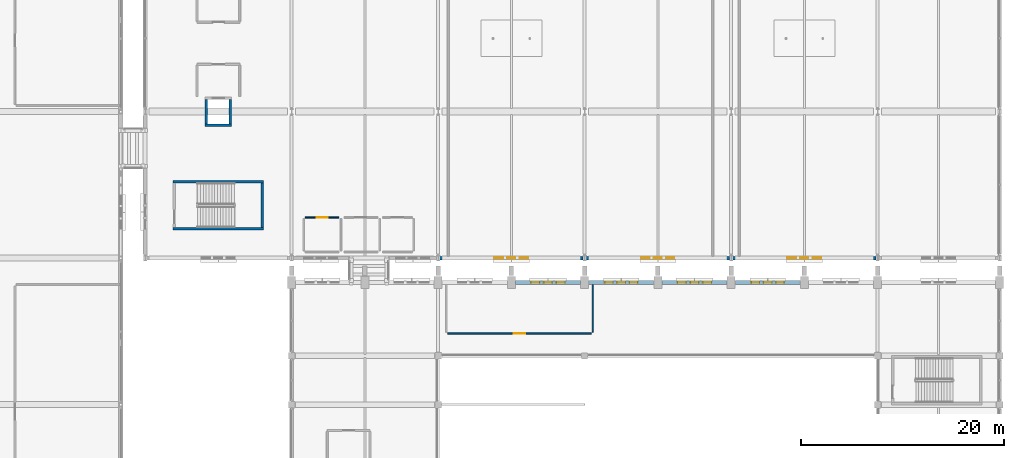
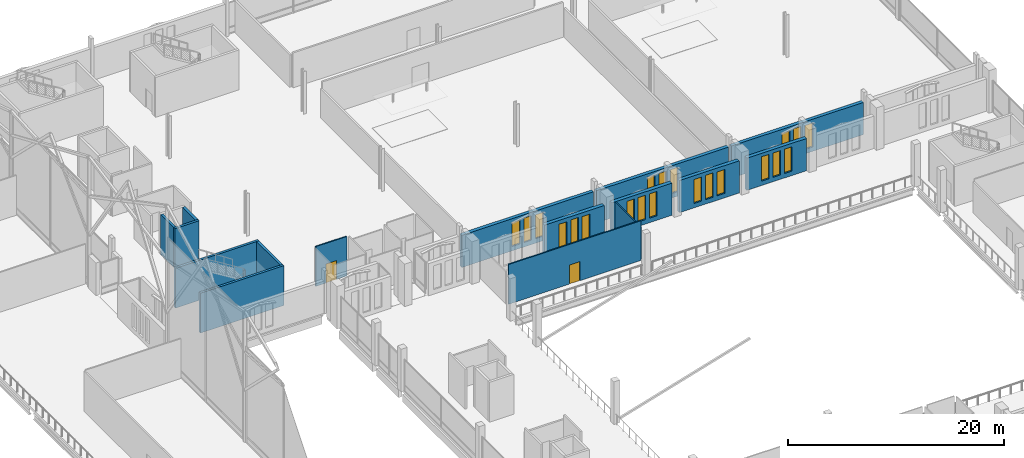
# One storey, part 166 of 220: 21 windows, 16 walls, 2 doors, 23 openings.
"""IFC4 building model written with IfcOpenShell, lengths in metres."""

from ifc_helpers import new_model, si_unit, direction, frame, frame_2d, origin, place, context, subcontext, project, spatial, rectangle, extrude, material, layer, layer_set, type_object, element, fill, save


model = new_model("IFC4")

# Units and contexts
model_context = context("Model", 3, precision=1e-05, world=origin(), true_north=direction((0.0, 1.0)))
body_context = subcontext(model_context, "Body", "Model", "MODEL_VIEW")
ifc_project = project(units=[si_unit("LENGTHUNIT", "METRE"), si_unit("AREAUNIT", "SQUARE_METRE"), si_unit("VOLUMEUNIT", "CUBIC_METRE"), si_unit("PLANEANGLEUNIT", "RADIAN"), si_unit("MASSUNIT", "GRAM", prefix="KILO")], contexts=[model_context])

# Site, building, storey
site_placement = place(None, origin())
site = spatial("IfcSite", under=ifc_project, at=site_placement, CompositionType="ELEMENT")
building_placement = place(site_placement, origin())
building = spatial("IfcBuilding", under=site, at=building_placement, Name="Cendralis Lancet Convention Centre", CompositionType="ELEMENT")
storey_placement = place(building_placement, frame((0.0, 0.0, 5.39990234375)))
storey = spatial("IfcBuildingStorey", under=building, at=storey_placement, Name="L01", CompositionType="ELEMENT", Elevation=5.39990234375)

# Wall, openings, windows
ifc_material_1 = material(Name="Buff sandstone ashlar and Concrete G40 (C40/50)", Category="masonry")
ifc_layer_1 = layer(ifc_material_1, 0.360107421875, Name="Buff sandstone ashlar and Concrete G40 (C40/50)")
ifc_layer_set_1 = layer_set([ifc_layer_1], Name="Buff sandstone ashlar and Concrete G40 (C40/50)")
wall_type_1 = type_object("IfcWallType", Name="ARC-EW-W360", PredefinedType="STANDARD", material=ifc_layer_set_1)
wall_1_placement = place(storey_placement, frame((167.842041015625, 93.60009765625, 0.0), z_axis=(0.0, 0.0, 1.0), x_axis=(-1.0, 0.0, 0.0)))
wall_1 = element("IfcWall", 1, at=wall_1_placement, inside=storey, type_object=wall_type_1, Name="L01 V3 Exterior Wall EW-04 #0152", PredefinedType="STANDARD", context=body_context, shape_type="SweptSolid", body=[
    extrude(rectangle(XDim=14.083984375, YDim=0.360107421875, at=frame_2d((7.0419921875, 0.0))), origin(), (0.0, 0.0, 1.0), 3.635009765625),
])
opening_1_placement = place(wall_1_placement, frame((5.382080078125, 0.0, 0.5)))
opening_1 = element("IfcOpeningElement", 2, at=opening_1_placement, cuts=wall_1, Name="Opening WN-15", PredefinedType="OPENING", context=body_context, shape_type="SweptSolid", body=[
    extrude(rectangle(XDim=0.840087890625, YDim=2.699951171875, at=frame_2d((0.419921875, 1.35009765625))), frame((0.0, 0.18994140625, 0.0), z_axis=(0.0, -1.0, 0.0), x_axis=(1.0, 0.0, 0.0)), (0.0, 0.0, 1.0), 0.380126953125),
])
opening_2_placement = place(wall_1_placement, frame((6.64208984375, 0.0, 0.5)))
opening_2 = element("IfcOpeningElement", 3, at=opening_2_placement, cuts=wall_1, Name="Opening WN-07", PredefinedType="OPENING", context=body_context, shape_type="SweptSolid", body=[
    extrude(rectangle(XDim=0.800048828125, YDim=2.75, at=frame_2d((0.39990234375, 1.375))), frame((0.0, 0.18994140625, 0.0), z_axis=(0.0, -1.0, 0.0), x_axis=(1.0, 0.0, 0.0)), (0.0, 0.0, 1.0), 0.380126953125),
])
opening_3_placement = place(wall_1_placement, frame((7.862060546875, 0.0, 0.5)))
opening_3 = element("IfcOpeningElement", 4, at=opening_3_placement, cuts=wall_1, Name="Opening WN-15", PredefinedType="OPENING", context=body_context, shape_type="SweptSolid", body=[
    extrude(rectangle(XDim=0.840087890625, YDim=2.699951171875, at=frame_2d((0.419921875, 1.35009765625))), frame((0.0, 0.18994140625, 0.0), z_axis=(0.0, -1.0, 0.0), x_axis=(1.0, 0.0, 0.0)), (0.0, 0.0, 1.0), 0.380126953125),
])
ifc_material_2 = material(Name="Double-glazed low-E solar-control glass", Category="glass")
window_type_1 = type_object("IfcWindowType", Name="ARC-WN-LW07", PartitioningType="SINGLE_PANEL", PredefinedType="WINDOW", material=ifc_material_2)
window_1_placement = place(opening_2_placement, origin())
window_1 = element("IfcWindow", 5, at=window_1_placement, inside=storey, type_object=window_type_1, Name="Gothic Lancet Window WN-07 #0294", OverallHeight=2.75, OverallWidth=0.800048828125, PartitioningType="SINGLE_PANEL", PredefinedType="WINDOW", context=body_context, shape_type="SweptSolid", body=[
    extrude(rectangle(XDim=0.800048828125, YDim=2.75, at=frame_2d((0.39990234375, 1.375))), frame((0.0, 0.030029296875, 0.0), z_axis=(0.0, -1.0, 0.0), x_axis=(1.0, 0.0, 0.0)), (0.0, 0.0, 1.0), 0.06005859375),
])
fill(opening_2, window_1)
window_type_2 = type_object("IfcWindowType", Name="ARC-WN-LW15", PartitioningType="SINGLE_PANEL", PredefinedType="WINDOW", material=ifc_material_2)
window_2_placement = place(opening_1_placement, origin())
window_2 = element("IfcWindow", 6, at=window_2_placement, inside=storey, type_object=window_type_2, Name="Gothic Lancet Window WN-15 #0293", OverallHeight=2.699951171875, OverallWidth=0.840087890625, PartitioningType="SINGLE_PANEL", PredefinedType="WINDOW", context=body_context, shape_type="SweptSolid", body=[
    extrude(rectangle(XDim=0.840087890625, YDim=2.699951171875, at=frame_2d((0.419921875, 1.35009765625))), frame((0.0, 0.030029296875, 0.0), z_axis=(0.0, -1.0, 0.0), x_axis=(1.0, 0.0, 0.0)), (0.0, 0.0, 1.0), 0.06005859375),
])
fill(opening_1, window_2)
window_3_placement = place(opening_3_placement, origin())
window_3 = element("IfcWindow", 7, at=window_3_placement, inside=storey, type_object=window_type_2, Name="Gothic Lancet Window WN-15 #0295", OverallHeight=2.699951171875, OverallWidth=0.840087890625, PartitioningType="SINGLE_PANEL", PredefinedType="WINDOW", context=body_context, shape_type="SweptSolid", body=[
    extrude(rectangle(XDim=0.840087890625, YDim=2.699951171875, at=frame_2d((0.419921875, 1.35009765625))), frame((0.0, 0.030029296875, 0.0), z_axis=(0.0, -1.0, 0.0), x_axis=(1.0, 0.0, 0.0)), (0.0, 0.0, 1.0), 0.06005859375),
])
fill(opening_3, window_3)

wall_2_placement = place(storey_placement, frame((182.241943359375, 93.60009765625, 0.0), z_axis=(0.0, 0.0, 1.0), x_axis=(-1.0, 0.0, 0.0)))
wall_2 = element("IfcWall", 8, at=wall_2_placement, inside=storey, type_object=wall_type_1, Name="L01 V3 Exterior Wall EW-04 #0153", PredefinedType="STANDARD", context=body_context, shape_type="SweptSolid", body=[
    extrude(rectangle(XDim=14.083984375, YDim=0.360107421875, at=frame_2d((7.0419921875, 0.0))), origin(), (0.0, 0.0, 1.0), 3.635009765625),
])
opening_4_placement = place(wall_2_placement, frame((5.422119140625, 0.0, 0.5)))
opening_4 = element("IfcOpeningElement", 9, at=opening_4_placement, cuts=wall_2, Name="Opening WN-07", PredefinedType="OPENING", context=body_context, shape_type="SweptSolid", body=[
    extrude(rectangle(XDim=0.800048828125, YDim=2.75, at=frame_2d((0.39990234375, 1.375))), frame((0.0, 0.18994140625, 0.0), z_axis=(0.0, -1.0, 0.0), x_axis=(1.0, 0.0, 0.0)), (0.0, 0.0, 1.0), 0.380126953125),
])
opening_5_placement = place(wall_2_placement, frame((6.64208984375, 0.0, 0.5)))
opening_5 = element("IfcOpeningElement", 10, at=opening_5_placement, cuts=wall_2, Name="Opening WN-07", PredefinedType="OPENING", context=body_context, shape_type="SweptSolid", body=[
    extrude(rectangle(XDim=0.800048828125, YDim=2.75, at=frame_2d((0.39990234375, 1.375))), frame((0.0, 0.18994140625, 0.0), z_axis=(0.0, -1.0, 0.0), x_axis=(1.0, 0.0, 0.0)), (0.0, 0.0, 1.0), 0.380126953125),
])
opening_6_placement = place(wall_2_placement, frame((7.862060546875, 0.0, 0.5)))
opening_6 = element("IfcOpeningElement", 11, at=opening_6_placement, cuts=wall_2, Name="Opening WN-07", PredefinedType="OPENING", context=body_context, shape_type="SweptSolid", body=[
    extrude(rectangle(XDim=0.800048828125, YDim=2.75, at=frame_2d((0.39990234375, 1.375))), frame((0.0, 0.18994140625, 0.0), z_axis=(0.0, -1.0, 0.0), x_axis=(1.0, 0.0, 0.0)), (0.0, 0.0, 1.0), 0.380126953125),
])
window_4_placement = place(opening_4_placement, origin())
window_4 = element("IfcWindow", 12, at=window_4_placement, inside=storey, type_object=window_type_1, Name="Gothic Lancet Window WN-07 #0296", OverallHeight=2.75, OverallWidth=0.800048828125, PartitioningType="SINGLE_PANEL", PredefinedType="WINDOW", context=body_context, shape_type="SweptSolid", body=[
    extrude(rectangle(XDim=0.800048828125, YDim=2.75, at=frame_2d((0.39990234375, 1.375))), frame((0.0, 0.030029296875, 0.0), z_axis=(0.0, -1.0, 0.0), x_axis=(1.0, 0.0, 0.0)), (0.0, 0.0, 1.0), 0.06005859375),
])
fill(opening_4, window_4)
window_5_placement = place(opening_5_placement, origin())
window_5 = element("IfcWindow", 13, at=window_5_placement, inside=storey, type_object=window_type_1, Name="Gothic Lancet Window WN-07 #0297", OverallHeight=2.75, OverallWidth=0.800048828125, PartitioningType="SINGLE_PANEL", PredefinedType="WINDOW", context=body_context, shape_type="SweptSolid", body=[
    extrude(rectangle(XDim=0.800048828125, YDim=2.75, at=frame_2d((0.39990234375, 1.375))), frame((0.0, 0.030029296875, 0.0), z_axis=(0.0, -1.0, 0.0), x_axis=(1.0, 0.0, 0.0)), (0.0, 0.0, 1.0), 0.06005859375),
])
fill(opening_5, window_5)
window_6_placement = place(opening_6_placement, origin())
window_6 = element("IfcWindow", 14, at=window_6_placement, inside=storey, type_object=window_type_1, Name="Gothic Lancet Window WN-07 #0298", OverallHeight=2.75, OverallWidth=0.800048828125, PartitioningType="SINGLE_PANEL", PredefinedType="WINDOW", context=body_context, shape_type="SweptSolid", body=[
    extrude(rectangle(XDim=0.800048828125, YDim=2.75, at=frame_2d((0.39990234375, 1.375))), frame((0.0, 0.030029296875, 0.0), z_axis=(0.0, -1.0, 0.0), x_axis=(1.0, 0.0, 0.0)), (0.0, 0.0, 1.0), 0.06005859375),
])
fill(opening_6, window_6)

wall_3_placement = place(storey_placement, frame((196.64208984375, 93.60009765625, 0.0), z_axis=(0.0, 0.0, 1.0), x_axis=(-1.0, 0.0, 0.0)))
wall_3 = element("IfcWall", 15, at=wall_3_placement, inside=storey, type_object=wall_type_1, Name="L01 V3 Exterior Wall EW-04 #0154", PredefinedType="STANDARD", context=body_context, shape_type="SweptSolid", body=[
    extrude(rectangle(XDim=14.083984375, YDim=0.360107421875, at=frame_2d((7.0419921875, 0.0))), origin(), (0.0, 0.0, 1.0), 3.635009765625),
])
opening_7_placement = place(wall_3_placement, frame((5.382080078125, 0.0, 0.5)))
opening_7 = element("IfcOpeningElement", 16, at=opening_7_placement, cuts=wall_3, Name="Opening WN-15", PredefinedType="OPENING", context=body_context, shape_type="SweptSolid", body=[
    extrude(rectangle(XDim=0.840087890625, YDim=2.699951171875, at=frame_2d((0.419921875, 1.35009765625))), frame((0.0, 0.18994140625, 0.0), z_axis=(0.0, -1.0, 0.0), x_axis=(1.0, 0.0, 0.0)), (0.0, 0.0, 1.0), 0.380126953125),
])
opening_8_placement = place(wall_3_placement, frame((6.64208984375, 0.0, 0.5)))
opening_8 = element("IfcOpeningElement", 17, at=opening_8_placement, cuts=wall_3, Name="Opening WN-07", PredefinedType="OPENING", context=body_context, shape_type="SweptSolid", body=[
    extrude(rectangle(XDim=0.800048828125, YDim=2.75, at=frame_2d((0.39990234375, 1.375))), frame((0.0, 0.18994140625, 0.0), z_axis=(0.0, -1.0, 0.0), x_axis=(1.0, 0.0, 0.0)), (0.0, 0.0, 1.0), 0.380126953125),
])
opening_9_placement = place(wall_3_placement, frame((7.862060546875, 0.0, 0.5)))
opening_9 = element("IfcOpeningElement", 18, at=opening_9_placement, cuts=wall_3, Name="Opening WN-15", PredefinedType="OPENING", context=body_context, shape_type="SweptSolid", body=[
    extrude(rectangle(XDim=0.840087890625, YDim=2.699951171875, at=frame_2d((0.419921875, 1.35009765625))), frame((0.0, 0.18994140625, 0.0), z_axis=(0.0, -1.0, 0.0), x_axis=(1.0, 0.0, 0.0)), (0.0, 0.0, 1.0), 0.380126953125),
])
window_7_placement = place(opening_8_placement, origin())
window_7 = element("IfcWindow", 19, at=window_7_placement, inside=storey, type_object=window_type_1, Name="Gothic Lancet Window WN-07 #0300", OverallHeight=2.75, OverallWidth=0.800048828125, PartitioningType="SINGLE_PANEL", PredefinedType="WINDOW", context=body_context, shape_type="SweptSolid", body=[
    extrude(rectangle(XDim=0.800048828125, YDim=2.75, at=frame_2d((0.39990234375, 1.375))), frame((0.0, 0.030029296875, 0.0), z_axis=(0.0, -1.0, 0.0), x_axis=(1.0, 0.0, 0.0)), (0.0, 0.0, 1.0), 0.06005859375),
])
fill(opening_8, window_7)
window_8_placement = place(opening_7_placement, origin())
window_8 = element("IfcWindow", 20, at=window_8_placement, inside=storey, type_object=window_type_2, Name="Gothic Lancet Window WN-15 #0299", OverallHeight=2.699951171875, OverallWidth=0.840087890625, PartitioningType="SINGLE_PANEL", PredefinedType="WINDOW", context=body_context, shape_type="SweptSolid", body=[
    extrude(rectangle(XDim=0.840087890625, YDim=2.699951171875, at=frame_2d((0.419921875, 1.35009765625))), frame((0.0, 0.030029296875, 0.0), z_axis=(0.0, -1.0, 0.0), x_axis=(1.0, 0.0, 0.0)), (0.0, 0.0, 1.0), 0.06005859375),
])
fill(opening_7, window_8)
window_9_placement = place(opening_9_placement, origin())
window_9 = element("IfcWindow", 21, at=window_9_placement, inside=storey, type_object=window_type_2, Name="Gothic Lancet Window WN-15 #0301", OverallHeight=2.699951171875, OverallWidth=0.840087890625, PartitioningType="SINGLE_PANEL", PredefinedType="WINDOW", context=body_context, shape_type="SweptSolid", body=[
    extrude(rectangle(XDim=0.840087890625, YDim=2.699951171875, at=frame_2d((0.419921875, 1.35009765625))), frame((0.0, 0.030029296875, 0.0), z_axis=(0.0, -1.0, 0.0), x_axis=(1.0, 0.0, 0.0)), (0.0, 0.0, 1.0), 0.06005859375),
])
fill(opening_9, window_9)

ifc_layer_2 = layer(ifc_material_1, 0.3798828125, Name="Buff sandstone ashlar and Concrete G40 (C40/50)")
ifc_layer_set_2 = layer_set([ifc_layer_2], Name="Buff sandstone ashlar and Concrete G40 (C40/50)")
wall_type_2 = type_object("IfcWallType", Name="ARC-EW-W380", PredefinedType="STANDARD", material=ifc_layer_set_2)
wall_4_placement = place(storey_placement, frame((161.2080078125, 91.199951171875, 0.0), z_axis=(0.0, 0.0, 1.0), x_axis=(1.0, 0.0, 0.0)))
wall_4 = element("IfcWall", 22, at=wall_4_placement, inside=storey, type_object=wall_type_2, Name="L01 V2 Exterior Wall EW-03 #0102", PredefinedType="STANDARD", context=body_context, shape_type="SweptSolid", body=[
    extrude(rectangle(XDim=6.384033203125, YDim=0.3798828125, at=frame_2d((3.19189453125, 0.0))), origin(), (0.0, 0.0, 1.0), 3.635009765625),
])
opening_10_placement = place(wall_4_placement, frame((1.531982421875, 0.0, 0.5)))
opening_10 = element("IfcOpeningElement", 23, at=opening_10_placement, cuts=wall_4, Name="Opening WN-15", PredefinedType="OPENING", context=body_context, shape_type="SweptSolid", body=[
    extrude(rectangle(XDim=0.840087890625, YDim=2.699951171875, at=frame_2d((0.419921875, 1.35009765625))), frame((0.0, 0.199951171875, 0.0), z_axis=(0.0, -1.0, 0.0), x_axis=(1.0, 0.0, 0.0)), (0.0, 0.0, 1.0), 0.39990234375),
])
opening_11_placement = place(wall_4_placement, frame((2.7919921875, 0.0, 0.5)))
opening_11 = element("IfcOpeningElement", 24, at=opening_11_placement, cuts=wall_4, Name="Opening WN-07", PredefinedType="OPENING", context=body_context, shape_type="SweptSolid", body=[
    extrude(rectangle(XDim=0.800048828125, YDim=2.75, at=frame_2d((0.39990234375, 1.375))), frame((0.0, 0.199951171875, 0.0), z_axis=(0.0, -1.0, 0.0), x_axis=(1.0, 0.0, 0.0)), (0.0, 0.0, 1.0), 0.39990234375),
])
opening_12_placement = place(wall_4_placement, frame((4.011962890625, 0.0, 0.5)))
opening_12 = element("IfcOpeningElement", 25, at=opening_12_placement, cuts=wall_4, Name="Opening WN-15", PredefinedType="OPENING", context=body_context, shape_type="SweptSolid", body=[
    extrude(rectangle(XDim=0.840087890625, YDim=2.699951171875, at=frame_2d((0.419921875, 1.35009765625))), frame((0.0, 0.199951171875, 0.0), z_axis=(0.0, -1.0, 0.0), x_axis=(1.0, 0.0, 0.0)), (0.0, 0.0, 1.0), 0.39990234375),
])
window_10_placement = place(opening_11_placement, origin())
window_10 = element("IfcWindow", 26, at=window_10_placement, inside=storey, type_object=window_type_1, Name="Gothic Lancet Window WN-07 #0184", OverallHeight=2.75, OverallWidth=0.800048828125, PartitioningType="SINGLE_PANEL", PredefinedType="WINDOW", context=body_context, shape_type="SweptSolid", body=[
    extrude(rectangle(XDim=0.800048828125, YDim=2.75, at=frame_2d((0.39990234375, 1.375))), frame((0.0, 0.030029296875, 0.0), z_axis=(0.0, -1.0, 0.0), x_axis=(1.0, 0.0, 0.0)), (0.0, 0.0, 1.0), 0.06005859375),
])
fill(opening_11, window_10)
window_11_placement = place(opening_10_placement, origin())
window_11 = element("IfcWindow", 27, at=window_11_placement, inside=storey, type_object=window_type_2, Name="Gothic Lancet Window WN-15 #0183", OverallHeight=2.699951171875, OverallWidth=0.840087890625, PartitioningType="SINGLE_PANEL", PredefinedType="WINDOW", context=body_context, shape_type="SweptSolid", body=[
    extrude(rectangle(XDim=0.840087890625, YDim=2.699951171875, at=frame_2d((0.419921875, 1.35009765625))), frame((0.0, 0.030029296875, 0.0), z_axis=(0.0, -1.0, 0.0), x_axis=(1.0, 0.0, 0.0)), (0.0, 0.0, 1.0), 0.06005859375),
])
fill(opening_10, window_11)
window_12_placement = place(opening_12_placement, origin())
window_12 = element("IfcWindow", 28, at=window_12_placement, inside=storey, type_object=window_type_2, Name="Gothic Lancet Window WN-15 #0185", OverallHeight=2.699951171875, OverallWidth=0.840087890625, PartitioningType="SINGLE_PANEL", PredefinedType="WINDOW", context=body_context, shape_type="SweptSolid", body=[
    extrude(rectangle(XDim=0.840087890625, YDim=2.699951171875, at=frame_2d((0.419921875, 1.35009765625))), frame((0.0, 0.030029296875, 0.0), z_axis=(0.0, -1.0, 0.0), x_axis=(1.0, 0.0, 0.0)), (0.0, 0.0, 1.0), 0.06005859375),
])
fill(opening_12, window_12)

wall_5_placement = place(storey_placement, frame((168.407958984375, 91.199951171875, 0.0), z_axis=(0.0, 0.0, 1.0), x_axis=(1.0, 0.0, 0.0)))
wall_5 = element("IfcWall", 29, at=wall_5_placement, inside=storey, type_object=wall_type_2, Name="L01 V2 Exterior Wall EW-03 #0103", PredefinedType="STANDARD", context=body_context, shape_type="SweptSolid", body=[
    extrude(rectangle(XDim=6.384033203125, YDim=0.3798828125, at=frame_2d((3.19189453125, 0.0))), origin(), (0.0, 0.0, 1.0), 3.635009765625),
])
opening_13_placement = place(wall_5_placement, frame((1.572021484375, 0.0, 0.5)))
opening_13 = element("IfcOpeningElement", 30, at=opening_13_placement, cuts=wall_5, Name="Opening WN-07", PredefinedType="OPENING", context=body_context, shape_type="SweptSolid", body=[
    extrude(rectangle(XDim=0.800048828125, YDim=2.75, at=frame_2d((0.39990234375, 1.375))), frame((0.0, 0.199951171875, 0.0), z_axis=(0.0, -1.0, 0.0), x_axis=(1.0, 0.0, 0.0)), (0.0, 0.0, 1.0), 0.39990234375),
])
opening_14_placement = place(wall_5_placement, frame((2.7919921875, 0.0, 0.5)))
opening_14 = element("IfcOpeningElement", 31, at=opening_14_placement, cuts=wall_5, Name="Opening WN-07", PredefinedType="OPENING", context=body_context, shape_type="SweptSolid", body=[
    extrude(rectangle(XDim=0.800048828125, YDim=2.75, at=frame_2d((0.39990234375, 1.375))), frame((0.0, 0.199951171875, 0.0), z_axis=(0.0, -1.0, 0.0), x_axis=(1.0, 0.0, 0.0)), (0.0, 0.0, 1.0), 0.39990234375),
])
opening_15_placement = place(wall_5_placement, frame((4.011962890625, 0.0, 0.5)))
opening_15 = element("IfcOpeningElement", 32, at=opening_15_placement, cuts=wall_5, Name="Opening WN-07", PredefinedType="OPENING", context=body_context, shape_type="SweptSolid", body=[
    extrude(rectangle(XDim=0.800048828125, YDim=2.75, at=frame_2d((0.39990234375, 1.375))), frame((0.0, 0.199951171875, 0.0), z_axis=(0.0, -1.0, 0.0), x_axis=(1.0, 0.0, 0.0)), (0.0, 0.0, 1.0), 0.39990234375),
])
window_13_placement = place(opening_13_placement, origin())
window_13 = element("IfcWindow", 33, at=window_13_placement, inside=storey, type_object=window_type_1, Name="Gothic Lancet Window WN-07 #0186", OverallHeight=2.75, OverallWidth=0.800048828125, PartitioningType="SINGLE_PANEL", PredefinedType="WINDOW", context=body_context, shape_type="SweptSolid", body=[
    extrude(rectangle(XDim=0.800048828125, YDim=2.75, at=frame_2d((0.39990234375, 1.375))), frame((0.0, 0.030029296875, 0.0), z_axis=(0.0, -1.0, 0.0), x_axis=(1.0, 0.0, 0.0)), (0.0, 0.0, 1.0), 0.06005859375),
])
fill(opening_13, window_13)
window_14_placement = place(opening_14_placement, origin())
window_14 = element("IfcWindow", 34, at=window_14_placement, inside=storey, type_object=window_type_1, Name="Gothic Lancet Window WN-07 #0187", OverallHeight=2.75, OverallWidth=0.800048828125, PartitioningType="SINGLE_PANEL", PredefinedType="WINDOW", context=body_context, shape_type="SweptSolid", body=[
    extrude(rectangle(XDim=0.800048828125, YDim=2.75, at=frame_2d((0.39990234375, 1.375))), frame((0.0, 0.030029296875, 0.0), z_axis=(0.0, -1.0, 0.0), x_axis=(1.0, 0.0, 0.0)), (0.0, 0.0, 1.0), 0.06005859375),
])
fill(opening_14, window_14)
window_15_placement = place(opening_15_placement, origin())
window_15 = element("IfcWindow", 35, at=window_15_placement, inside=storey, type_object=window_type_1, Name="Gothic Lancet Window WN-07 #0188", OverallHeight=2.75, OverallWidth=0.800048828125, PartitioningType="SINGLE_PANEL", PredefinedType="WINDOW", context=body_context, shape_type="SweptSolid", body=[
    extrude(rectangle(XDim=0.800048828125, YDim=2.75, at=frame_2d((0.39990234375, 1.375))), frame((0.0, 0.030029296875, 0.0), z_axis=(0.0, -1.0, 0.0), x_axis=(1.0, 0.0, 0.0)), (0.0, 0.0, 1.0), 0.06005859375),
])
fill(opening_15, window_15)

wall_6_placement = place(storey_placement, frame((175.60791015625, 91.199951171875, 0.0), z_axis=(0.0, 0.0, 1.0), x_axis=(1.0, 0.0, 0.0)))
wall_6 = element("IfcWall", 36, at=wall_6_placement, inside=storey, type_object=wall_type_2, Name="L01 V2 Exterior Wall EW-03 #0104", PredefinedType="STANDARD", context=body_context, shape_type="SweptSolid", body=[
    extrude(rectangle(XDim=6.384033203125, YDim=0.3798828125, at=frame_2d((3.19189453125, 0.0))), origin(), (0.0, 0.0, 1.0), 3.635009765625),
])
opening_16_placement = place(wall_6_placement, frame((1.531982421875, 0.0, 0.5)))
opening_16 = element("IfcOpeningElement", 37, at=opening_16_placement, cuts=wall_6, Name="Opening WN-15", PredefinedType="OPENING", context=body_context, shape_type="SweptSolid", body=[
    extrude(rectangle(XDim=0.840087890625, YDim=2.699951171875, at=frame_2d((0.419921875, 1.35009765625))), frame((0.0, 0.199951171875, 0.0), z_axis=(0.0, -1.0, 0.0), x_axis=(1.0, 0.0, 0.0)), (0.0, 0.0, 1.0), 0.39990234375),
])
opening_17_placement = place(wall_6_placement, frame((2.7919921875, 0.0, 0.5)))
opening_17 = element("IfcOpeningElement", 38, at=opening_17_placement, cuts=wall_6, Name="Opening WN-07", PredefinedType="OPENING", context=body_context, shape_type="SweptSolid", body=[
    extrude(rectangle(XDim=0.800048828125, YDim=2.75, at=frame_2d((0.39990234375, 1.375))), frame((0.0, 0.199951171875, 0.0), z_axis=(0.0, -1.0, 0.0), x_axis=(1.0, 0.0, 0.0)), (0.0, 0.0, 1.0), 0.39990234375),
])
opening_18_placement = place(wall_6_placement, frame((4.011962890625, 0.0, 0.5)))
opening_18 = element("IfcOpeningElement", 39, at=opening_18_placement, cuts=wall_6, Name="Opening WN-15", PredefinedType="OPENING", context=body_context, shape_type="SweptSolid", body=[
    extrude(rectangle(XDim=0.840087890625, YDim=2.699951171875, at=frame_2d((0.419921875, 1.35009765625))), frame((0.0, 0.199951171875, 0.0), z_axis=(0.0, -1.0, 0.0), x_axis=(1.0, 0.0, 0.0)), (0.0, 0.0, 1.0), 0.39990234375),
])
window_16_placement = place(opening_17_placement, origin())
window_16 = element("IfcWindow", 40, at=window_16_placement, inside=storey, type_object=window_type_1, Name="Gothic Lancet Window WN-07 #0190", OverallHeight=2.75, OverallWidth=0.800048828125, PartitioningType="SINGLE_PANEL", PredefinedType="WINDOW", context=body_context, shape_type="SweptSolid", body=[
    extrude(rectangle(XDim=0.800048828125, YDim=2.75, at=frame_2d((0.39990234375, 1.375))), frame((0.0, 0.030029296875, 0.0), z_axis=(0.0, -1.0, 0.0), x_axis=(1.0, 0.0, 0.0)), (0.0, 0.0, 1.0), 0.06005859375),
])
fill(opening_17, window_16)
window_17_placement = place(opening_16_placement, origin())
window_17 = element("IfcWindow", 41, at=window_17_placement, inside=storey, type_object=window_type_2, Name="Gothic Lancet Window WN-15 #0189", OverallHeight=2.699951171875, OverallWidth=0.840087890625, PartitioningType="SINGLE_PANEL", PredefinedType="WINDOW", context=body_context, shape_type="SweptSolid", body=[
    extrude(rectangle(XDim=0.840087890625, YDim=2.699951171875, at=frame_2d((0.419921875, 1.35009765625))), frame((0.0, 0.030029296875, 0.0), z_axis=(0.0, -1.0, 0.0), x_axis=(1.0, 0.0, 0.0)), (0.0, 0.0, 1.0), 0.06005859375),
])
fill(opening_16, window_17)
window_18_placement = place(opening_18_placement, origin())
window_18 = element("IfcWindow", 42, at=window_18_placement, inside=storey, type_object=window_type_2, Name="Gothic Lancet Window WN-15 #0191", OverallHeight=2.699951171875, OverallWidth=0.840087890625, PartitioningType="SINGLE_PANEL", PredefinedType="WINDOW", context=body_context, shape_type="SweptSolid", body=[
    extrude(rectangle(XDim=0.840087890625, YDim=2.699951171875, at=frame_2d((0.419921875, 1.35009765625))), frame((0.0, 0.030029296875, 0.0), z_axis=(0.0, -1.0, 0.0), x_axis=(1.0, 0.0, 0.0)), (0.0, 0.0, 1.0), 0.06005859375),
])
fill(opening_18, window_18)

wall_7_placement = place(storey_placement, frame((182.80810546875, 91.199951171875, 0.0), z_axis=(0.0, 0.0, 1.0), x_axis=(1.0, 0.0, 0.0)))
wall_7 = element("IfcWall", 43, at=wall_7_placement, inside=storey, type_object=wall_type_2, Name="L01 V2 Exterior Wall EW-03 #0105", PredefinedType="STANDARD", context=body_context, shape_type="SweptSolid", body=[
    extrude(rectangle(XDim=6.3837890625, YDim=0.3798828125, at=frame_2d((3.19189453125, 0.0))), origin(), (0.0, 0.0, 1.0), 3.635009765625),
])
opening_19_placement = place(wall_7_placement, frame((1.572021484375, 0.0, 0.5)))
opening_19 = element("IfcOpeningElement", 44, at=opening_19_placement, cuts=wall_7, Name="Opening WN-07", PredefinedType="OPENING", context=body_context, shape_type="SweptSolid", body=[
    extrude(rectangle(XDim=0.800048828125, YDim=2.75, at=frame_2d((0.39990234375, 1.375))), frame((0.0, 0.199951171875, 0.0), z_axis=(0.0, -1.0, 0.0), x_axis=(1.0, 0.0, 0.0)), (0.0, 0.0, 1.0), 0.39990234375),
])
opening_20_placement = place(wall_7_placement, frame((2.7919921875, 0.0, 0.5)))
opening_20 = element("IfcOpeningElement", 45, at=opening_20_placement, cuts=wall_7, Name="Opening WN-07", PredefinedType="OPENING", context=body_context, shape_type="SweptSolid", body=[
    extrude(rectangle(XDim=0.800048828125, YDim=2.75, at=frame_2d((0.39990234375, 1.375))), frame((0.0, 0.199951171875, 0.0), z_axis=(0.0, -1.0, 0.0), x_axis=(1.0, 0.0, 0.0)), (0.0, 0.0, 1.0), 0.39990234375),
])
opening_21_placement = place(wall_7_placement, frame((4.011962890625, 0.0, 0.5)))
opening_21 = element("IfcOpeningElement", 46, at=opening_21_placement, cuts=wall_7, Name="Opening WN-07", PredefinedType="OPENING", context=body_context, shape_type="SweptSolid", body=[
    extrude(rectangle(XDim=0.800048828125, YDim=2.75, at=frame_2d((0.39990234375, 1.375))), frame((0.0, 0.199951171875, 0.0), z_axis=(0.0, -1.0, 0.0), x_axis=(1.0, 0.0, 0.0)), (0.0, 0.0, 1.0), 0.39990234375),
])
window_19_placement = place(opening_19_placement, origin())
window_19 = element("IfcWindow", 47, at=window_19_placement, inside=storey, type_object=window_type_1, Name="Gothic Lancet Window WN-07 #0192", OverallHeight=2.75, OverallWidth=0.800048828125, PartitioningType="SINGLE_PANEL", PredefinedType="WINDOW", context=body_context, shape_type="SweptSolid", body=[
    extrude(rectangle(XDim=0.800048828125, YDim=2.75, at=frame_2d((0.39990234375, 1.375))), frame((0.0, 0.030029296875, 0.0), z_axis=(0.0, -1.0, 0.0), x_axis=(1.0, 0.0, 0.0)), (0.0, 0.0, 1.0), 0.06005859375),
])
fill(opening_19, window_19)
window_20_placement = place(opening_20_placement, origin())
window_20 = element("IfcWindow", 48, at=window_20_placement, inside=storey, type_object=window_type_1, Name="Gothic Lancet Window WN-07 #0193", OverallHeight=2.75, OverallWidth=0.800048828125, PartitioningType="SINGLE_PANEL", PredefinedType="WINDOW", context=body_context, shape_type="SweptSolid", body=[
    extrude(rectangle(XDim=0.800048828125, YDim=2.75, at=frame_2d((0.39990234375, 1.375))), frame((0.0, 0.030029296875, 0.0), z_axis=(0.0, -1.0, 0.0), x_axis=(1.0, 0.0, 0.0)), (0.0, 0.0, 1.0), 0.06005859375),
])
fill(opening_20, window_20)
window_21_placement = place(opening_21_placement, origin())
window_21 = element("IfcWindow", 49, at=window_21_placement, inside=storey, type_object=window_type_1, Name="Gothic Lancet Window WN-07 #0194", OverallHeight=2.75, OverallWidth=0.800048828125, PartitioningType="SINGLE_PANEL", PredefinedType="WINDOW", context=body_context, shape_type="SweptSolid", body=[
    extrude(rectangle(XDim=0.800048828125, YDim=2.75, at=frame_2d((0.39990234375, 1.375))), frame((0.0, 0.030029296875, 0.0), z_axis=(0.0, -1.0, 0.0), x_axis=(1.0, 0.0, 0.0)), (0.0, 0.0, 1.0), 0.06005859375),
])
fill(opening_21, window_21)

# Wall
ifc_material_3 = material(Name="Acoustic fire-rated gypsum board on steel studs", Category="steel")
ifc_layer_3 = layer(ifc_material_3, 0.1201171875, Name="Acoustic fire-rated gypsum board on steel studs")
ifc_layer_set_3 = layer_set([ifc_layer_3], Name="Acoustic fire-rated gypsum board on steel studs")
wall_type_3 = type_object("IfcWallType", Name="ARC-IW-P120", PredefinedType="PARTITIONING", material=ifc_layer_set_3)
wall_8_placement = place(storey_placement, frame((168.800048828125, 86.340087890625, 0.0), z_axis=(0.0, 0.0, 1.0), x_axis=(0.0, 1.0, 0.0)))
element("IfcWall", 50, at=wall_8_placement, inside=storey, type_object=wall_type_3, Name="L01 Interior Partition IW-05 #0084", PredefinedType="PARTITIONING", context=body_context, shape_type="SweptSolid", body=[
    extrude(rectangle(XDim=4.659912109375, YDim=0.1201171875, at=frame_2d((2.330078125, 0.0))), origin(), (0.0, 0.0, 1.0), 3.635009765625),
])

# Wall, opening, door
wall_9_placement = place(storey_placement, frame((140.550048828125, 97.60009765625, 0.0), z_axis=(0.0, 0.0, 1.0), x_axis=(1.0, 0.0, 0.0)))
wall_9 = element("IfcWall", 51, at=wall_9_placement, inside=storey, type_object=wall_type_3, Name="L01 Interior Partition IW-05 #0168", PredefinedType="PARTITIONING", context=body_context, shape_type="SweptSolid", body=[
    extrude(rectangle(XDim=3.300048828125, YDim=0.1201171875, at=frame_2d((1.64990234375, 0.0))), origin(), (0.0, 0.0, 1.0), 4.485107421875),
])
opening_22_placement = place(wall_9_placement, frame((1.10009765625, 0.0, 0.0)))
opening_22 = element("IfcOpeningElement", 52, at=opening_22_placement, cuts=wall_9, Name="Opening FD-11", PredefinedType="OPENING", context=body_context, shape_type="SweptSolid", body=[
    extrude(rectangle(XDim=1.10009765625, YDim=2.14990234375, at=frame_2d((0.550048828125, 1.074951171875))), frame((0.0, 0.070068359375, 0.0), z_axis=(0.0, -1.0, 0.0), x_axis=(1.0, 0.0, 0.0)), (0.0, 0.0, 1.0), 0.14013671875),
])
ifc_material_4 = material(Name="Steel S355", Category="steel")
door_type = type_object("IfcDoorType", Name="ARC-DR-FF11", OperationType="NOTDEFINED", PredefinedType="DOOR", material=ifc_material_4)
door_1_placement = place(opening_22_placement, origin())
door_1 = element("IfcDoor", 53, at=door_1_placement, inside=storey, type_object=door_type, Name="L01-D021 L01 Interior Door FD-11 #0056", OperationType="SINGLE_SWING_LEFT", OverallHeight=2.14990234375, OverallWidth=1.10009765625, PredefinedType="DOOR", context=body_context, shape_type="SweptSolid", body=[
    extrude(rectangle(XDim=1.10009765625, YDim=2.14990234375, at=frame_2d((0.550048828125, 1.074951171875))), frame((0.0, 0.02490234375, 0.0), z_axis=(0.0, -1.0, 0.0), x_axis=(1.0, 0.0, 0.0)), (0.0, 0.0, 1.0), 0.050048828125),
])
fill(opening_22, door_1)

ifc_layer_4 = layer(ifc_material_3, 0.139892578125, Name="Acoustic fire-rated gypsum board on steel studs")
ifc_layer_set_4 = layer_set([ifc_layer_4], Name="Acoustic fire-rated gypsum board on steel studs")
wall_type_4 = type_object("IfcWallType", Name="ARC-IW-P140", PredefinedType="PARTITIONING", material=ifc_layer_set_4)
wall_10_placement = place(storey_placement, frame((154.5400390625, 86.199951171875, 0.0), z_axis=(0.0, 0.0, 1.0), x_axis=(1.0, 0.0, 0.0)))
wall_10 = element("IfcWall", 54, at=wall_10_placement, inside=storey, type_object=wall_type_4, Name="L01 Interior Partition IW-04 #0082", PredefinedType="PARTITIONING", context=body_context, shape_type="SweptSolid", body=[
    extrude(rectangle(XDim=14.119873046875, YDim=0.139892578125, at=frame_2d((7.06005859375, 0.0))), origin(), (0.0, 0.0, 1.0), 4.485107421875),
])
opening_23_placement = place(wall_10_placement, frame((6.510009765625, 0.0, 0.0)))
opening_23 = element("IfcOpeningElement", 55, at=opening_23_placement, cuts=wall_10, Name="Opening FD-11", PredefinedType="OPENING", context=body_context, shape_type="SweptSolid", body=[
    extrude(rectangle(XDim=1.10009765625, YDim=2.14990234375, at=frame_2d((0.550048828125, 1.074951171875))), frame((0.0, 0.079833984375, 0.0), z_axis=(0.0, -1.0, 0.0), x_axis=(1.0, 0.0, 0.0)), (0.0, 0.0, 1.0), 0.159912109375),
])
door_2_placement = place(opening_23_placement, frame((1.10009765625, 0.0, 0.0), z_axis=(0.0, 0.0, 1.0), x_axis=(-1.0, 0.0, 0.0)))
door_2 = element("IfcDoor", 56, at=door_2_placement, inside=storey, type_object=door_type, Name="L01-D012 L01 Interior Door FD-11 #0027", OperationType="SINGLE_SWING_LEFT", OverallHeight=2.14990234375, OverallWidth=1.10009765625, PredefinedType="DOOR", context=body_context, shape_type="SweptSolid", body=[
    extrude(rectangle(XDim=1.10009765625, YDim=2.14990234375, at=frame_2d((0.550048828125, 1.074951171875))), frame((0.0, 0.02490234375, 0.0), z_axis=(0.0, -1.0, 0.0), x_axis=(1.0, 0.0, 0.0)), (0.0, 0.0, 1.0), 0.050048828125),
])
fill(opening_23, door_2)

# Walls
ifc_material_5 = material(Name="Concrete G40 (C40/50)", Category="concrete")
ifc_layer_5 = layer(ifc_material_5, 0.25, Name="Concrete G40 (C40/50)")
ifc_layer_set_5 = layer_set([ifc_layer_5], Name="Concrete G40 (C40/50)")
wall_type_5 = type_object("IfcWallType", Name="STR-SW-CW250", PredefinedType="SHEAR", material=ifc_layer_set_5)
wall_11_placement = place(storey_placement, frame((136.324951171875, 96.60009765625, 0.0), z_axis=(0.0, 0.0, 1.0), x_axis=(0.0, 1.0, 0.0)))
element("IfcWall", 57, at=wall_11_placement, inside=storey, type_object=wall_type_5, Name="L01 Stair Core ST-07 East Shear Wall", PredefinedType="SHEAR", context=body_context, shape_type="SweptSolid", body=[
    extrude(rectangle(XDim=4.3798828125, YDim=0.25, at=frame_2d((2.18994140625, 0.0))), origin(), (0.0, 0.0, 1.0), 4.5),
])
for number, where, z_axis, x_axis, name in (
    (58, (127.550048828125, 96.47509765625, 0.0), (0.0, 0.0, 1.0), (1.0, 0.0, 0.0), "L01 Stair Core ST-07 South Shear Wall"),
    (59, (127.550048828125, 101.10498046875, 0.0), (0.0, 0.0, 1.0), (1.0, 0.0, 0.0), "L01 Stair Core ST-07 North Shear Wall"),
):
    element("IfcWall", number, at=place(storey_placement, frame(where, z_axis=z_axis, x_axis=x_axis)), inside=storey, type_object=wall_type_5, Name=name, PredefinedType="SHEAR", context=body_context, shape_type="SweptSolid", body=[
        extrude(rectangle(XDim=8.89990234375, YDim=0.25, at=frame_2d((4.449951171875, 0.0))), origin(), (0.0, 0.0, 1.0), 4.5),
    ])
wall_12_placement = place(storey_placement, frame((130.699951171875, 106.675048828125, 0.0), z_axis=(0.0, 0.0, 1.0), x_axis=(1.0, 0.0, 0.0)))
element("IfcWall", 60, at=wall_12_placement, inside=storey, type_object=wall_type_5, Name="L01 Lift LP-07 South Shaft Wall", PredefinedType="SHEAR", context=body_context, shape_type="SweptSolid", body=[
    extrude(rectangle(XDim=2.60009765625, YDim=0.25, at=frame_2d((1.300048828125, 0.0))), origin(), (0.0, 0.0, 1.0), 4.5),
])
for number, where, z_axis, x_axis, name in (
    (61, (130.824951171875, 106.800048828125, 0.0), (0.0, 0.0, 1.0), (0.0, 1.0, 0.0), "L01 Lift LP-07 West Shaft Wall"),
    (62, (133.175048828125, 106.800048828125, 0.0), (0.0, 0.0, 1.0), (0.0, 1.0, 0.0), "L01 Lift LP-07 East Shaft Wall"),
):
    element("IfcWall", number, at=place(storey_placement, frame(where, z_axis=z_axis, x_axis=x_axis)), inside=storey, type_object=wall_type_5, Name=name, PredefinedType="SHEAR", context=body_context, shape_type="SweptSolid", body=[
        extrude(rectangle(XDim=2.39990234375, YDim=0.25, at=frame_2d((1.199951171875, 0.0))), origin(), (0.0, 0.0, 1.0), 4.5),
    ])

save(model, "model.ifc")
